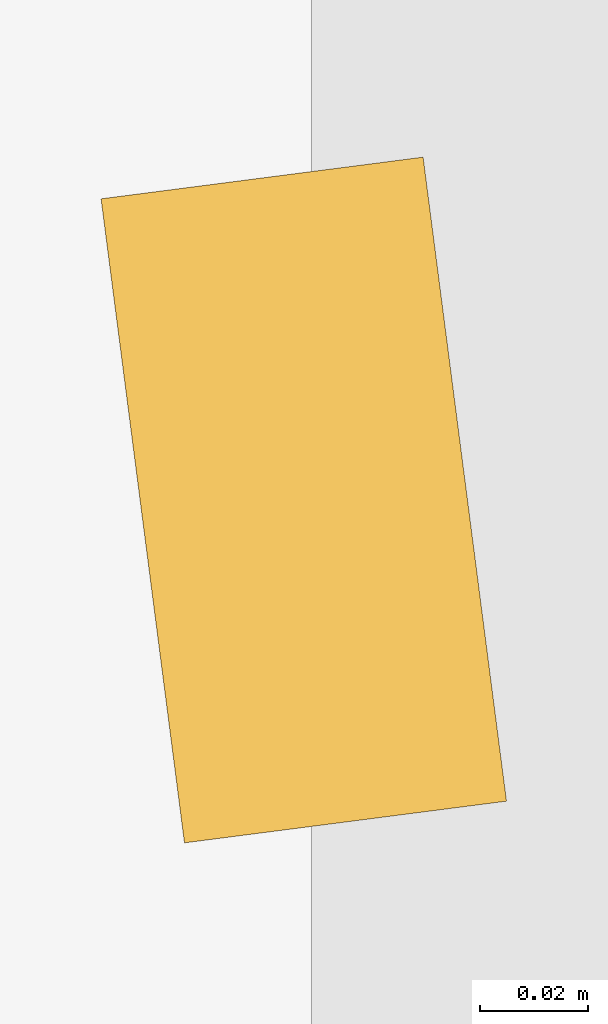
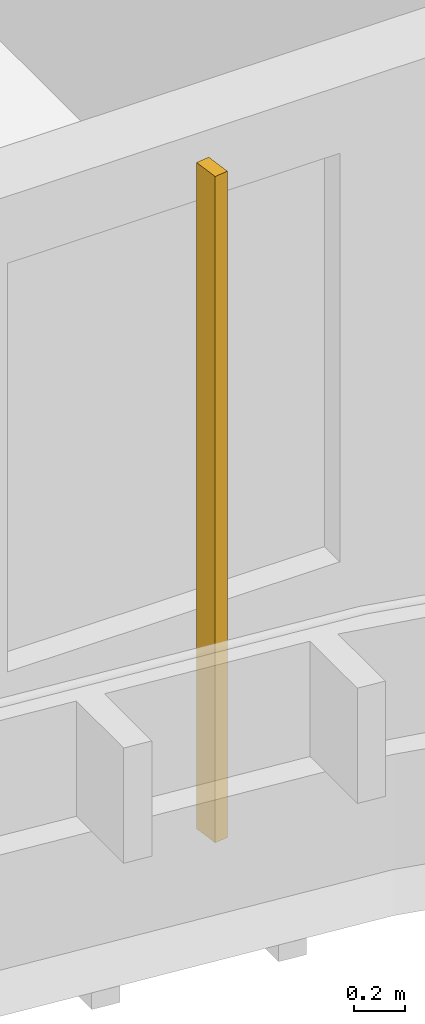
# One storey, part 16 of 21: 1 shading device.
"""IFC4 building model written with IfcOpenShell, lengths in metres."""

from ifc_helpers import new_model, si_unit, direction, frame, origin, origin_2d, place, context, subcontext, project, spatial, rectangle, extrude, source, transform, mapped, material, material_profile, profile_set, type_object, element, save


model = new_model("IFC4")

# Units and contexts
model_context = context("Model", 3, precision=1e-05, world=origin(), true_north=direction((0.0, 1.0)))
body_context = subcontext(model_context, "Body", "Model", "MODEL_VIEW")
ifc_project = project(units=[si_unit("LENGTHUNIT", "METRE"), si_unit("AREAUNIT", "SQUARE_METRE"), si_unit("VOLUMEUNIT", "CUBIC_METRE"), si_unit("PLANEANGLEUNIT", "RADIAN"), si_unit("MASSUNIT", "GRAM", prefix="KILO")], contexts=[model_context])

# Site, building, storey
site_placement = place(None, origin())
site = spatial("IfcSite", under=ifc_project, at=site_placement, CompositionType="ELEMENT")
building_placement = place(site_placement, origin())
building = spatial("IfcBuilding", under=site, at=building_placement, Name="Kilnfold Tower and Market Hall", CompositionType="ELEMENT")
storey_placement = place(building_placement, frame((0.0, 0.0, 210.10009765625)))
storey = spatial("IfcBuildingStorey", under=building, at=storey_placement, Name="L51", CompositionType="ELEMENT", Elevation=210.10009765625)

# Shading device
ifc_material = material(Name="Terracotta", Category="masonry")
ifc_material_profile = material_profile(ifc_material, rectangle(XDim=0.06005859375, YDim=0.1201171875, at=origin_2d()), Name="BAG 60x120")
ifc_profile_set = profile_set([ifc_material_profile], Name="Terracotta")
shading_device_type = type_object("IfcShadingDeviceType", Name="BAGUETTE", PredefinedType="USERDEFINED", material=ifc_profile_set)
shared_shape = source(origin(), body_context, "Body", "SweptSolid", [
    extrude(rectangle(XDim=0.06005859375, YDim=0.1201171875, at=origin_2d()), origin(), (0.0, 0.0, 1.0), 3.179931640625),
])
shading_device_placement = place(storey_placement, frame((10.5, -26.550048828125, 0.0), z_axis=(0.0, 0.0, 1.0), x_axis=(0.991719198426, 0.128425197967, 0.0)))
element("IfcShadingDevice", 1, at=shading_device_placement, inside=storey, type_object=shading_device_type, Name="Terracotta baguette L51 S", ObjectType="BAGUETTE", PredefinedType="USERDEFINED", context=body_context, shape_type="MappedRepresentation", body=[
    mapped(shared_shape, transform((0.0, 0.0, 0.0))),
])

save(model, "model.ifc")
